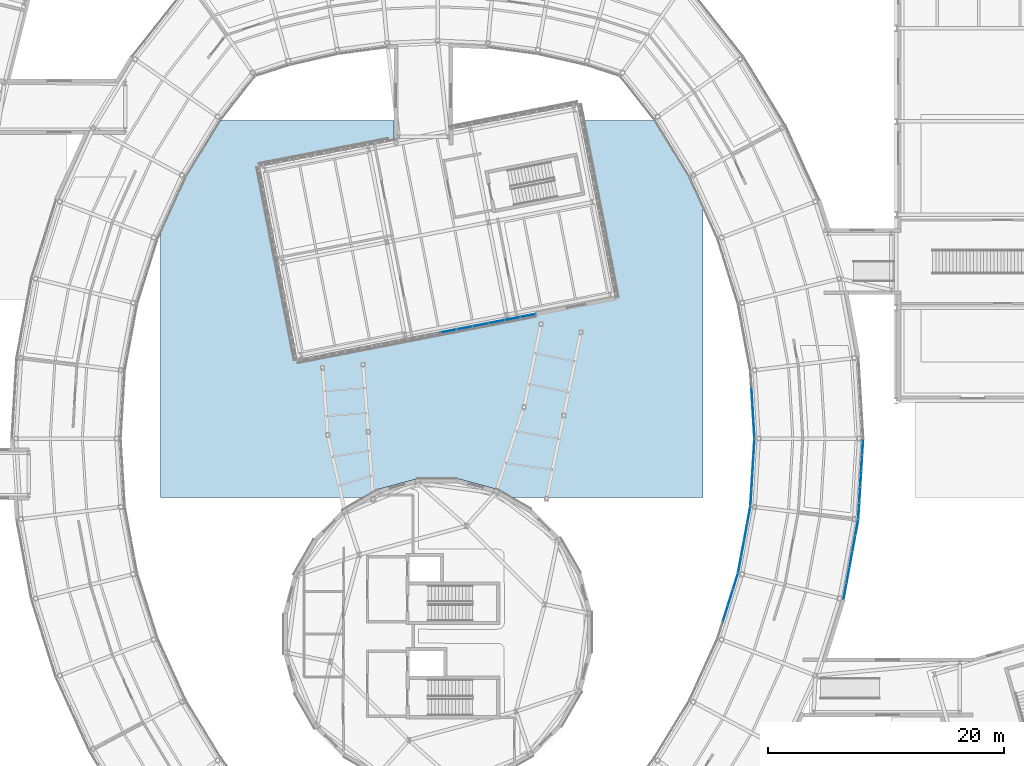
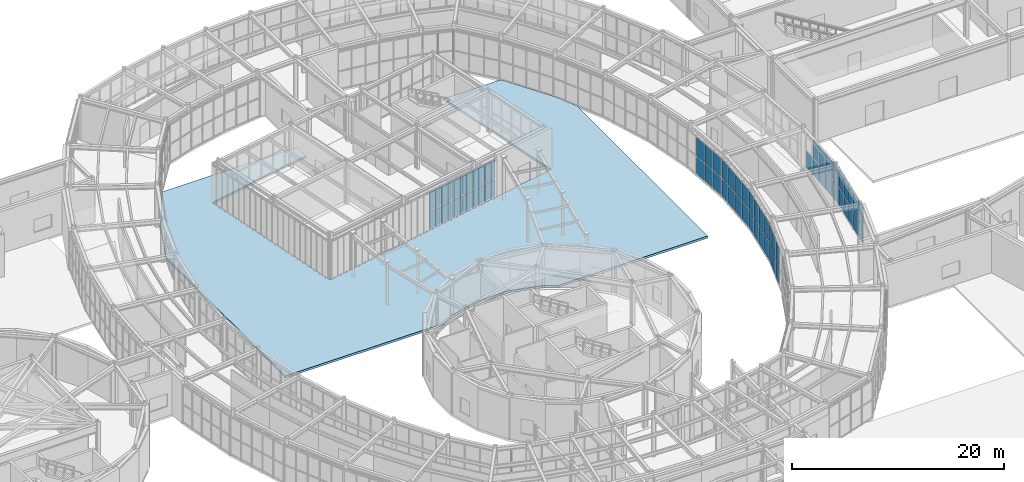
# One storey, part 60 of 97: 59 plates, 1 slab, 8 elements without a shape of their own.
"""IFC4 building model written with IfcOpenShell, lengths in metres."""

from ifc_helpers import new_model, si_unit, direction, frame, origin, origin_2d, place, context, subcontext, project, spatial, polyline, rectangle, outline, extrude, material, layer, layer_set, type_object, element, aggregate, save


model = new_model("IFC4")

# Units and contexts
model_context = context("Model", 3, precision=1e-05, world=origin(), true_north=direction((0.0, 1.0)))
body_context = subcontext(model_context, "Body", "Model", "MODEL_VIEW")
ifc_project = project(units=[si_unit("LENGTHUNIT", "METRE"), si_unit("AREAUNIT", "SQUARE_METRE"), si_unit("VOLUMEUNIT", "CUBIC_METRE"), si_unit("PLANEANGLEUNIT", "RADIAN"), si_unit("MASSUNIT", "GRAM", prefix="KILO")], contexts=[model_context])

# Site, building, storey
site_placement = place(None, origin())
site = spatial("IfcSite", under=ifc_project, at=site_placement, CompositionType="ELEMENT")
building_placement = place(site_placement, origin())
building = spatial("IfcBuilding", under=site, at=building_placement, Name="Varnklinge Art Gallery", CompositionType="ELEMENT")
storey_placement = place(building_placement, origin())
storey = spatial("IfcBuildingStorey", under=building, at=storey_placement, Name="L00", CompositionType="ELEMENT", Elevation=0.0)

# Curtain wall, plates
ifc_material_1 = material(Name="Anodised Aluminium", Category="aluminium")
curtain_wall_type_1 = type_object("IfcCurtainWallType", Name="CW-R03", PredefinedType="USERDEFINED", material=ifc_material_1)
curtain_wall_1_placement = place(storey_placement, origin())
curtain_wall_1 = element("IfcCurtainWall", 1, at=curtain_wall_1_placement, inside=storey, type_object=curtain_wall_type_1, Name="L00 Curtain Wall CW-V2I-L00-04", ObjectType="UNITISED CURTAIN WALL", PredefinedType="USERDEFINED")
ifc_material_2 = material(Name="Insulated Low-E Triple Glazing", Category="glass")
ifc_layer_1 = layer(ifc_material_2, 0.031982421875)
ifc_layer_set_1 = layer_set([ifc_layer_1], Name="Insulated Low-E Triple Glazing")
plate_type_1 = type_object("IfcPlateType", Name="GLZ-32", PredefinedType="CURTAIN_PANEL", material=ifc_layer_set_1)
plate_1_placement = place(storey_placement, frame((100.7724609375, 42.870361328125, 0.1181640625), z_axis=(0.0, 0.0, 1.0), x_axis=(-0.299706904751, -0.954031326134, 0.0)))
plate_1 = element("IfcPlate", 2, at=plate_1_placement, type_object=plate_type_1, Name="CW-V2I-L00-04 Glazing Panel 1.1", PredefinedType="CURTAIN_PANEL", context=body_context, shape_type="SweptSolid", body=[
    extrude(rectangle(XDim=1.355712890625, YDim=0.031982421875, at=origin_2d()), origin(), (0.0, 0.0, 1.0), 1.950439453125),
])
plate_2_placement = place(storey_placement, frame((100.7724609375, 42.870361328125, 2.1845703125), z_axis=(0.0, 0.0, 1.0), x_axis=(-0.299706904751, -0.954031326134, 0.0)))
plate_2 = element("IfcPlate", 3, at=plate_2_placement, type_object=plate_type_1, Name="CW-V2I-L00-04 Glazing Panel 1.2", PredefinedType="CURTAIN_PANEL", context=body_context, shape_type="SweptSolid", body=[
    extrude(rectangle(XDim=1.355712890625, YDim=0.031982421875, at=origin_2d()), origin(), (0.0, 0.0, 1.0), 2.127685546875),
])
plate_3_placement = place(storey_placement, frame((100.3447265625, 41.509033203125, 0.1181640625), z_axis=(0.0, 0.0, 1.0), x_axis=(-0.299706904751, -0.954031326134, 0.0)))
plate_3 = element("IfcPlate", 4, at=plate_3_placement, type_object=plate_type_1, Name="CW-V2I-L00-04 Glazing Panel 2.1", PredefinedType="CURTAIN_PANEL", context=body_context, shape_type="SweptSolid", body=[
    extrude(rectangle(XDim=1.3857421875, YDim=0.031982421875, at=origin_2d()), origin(), (0.0, 0.0, 1.0), 1.950439453125),
])
plate_4_placement = place(storey_placement, frame((100.3447265625, 41.509033203125, 2.1845703125), z_axis=(0.0, 0.0, 1.0), x_axis=(-0.299706904751, -0.954031326134, 0.0)))
plate_4 = element("IfcPlate", 5, at=plate_4_placement, type_object=plate_type_1, Name="CW-V2I-L00-04 Glazing Panel 2.2", PredefinedType="CURTAIN_PANEL", context=body_context, shape_type="SweptSolid", body=[
    extrude(rectangle(XDim=1.3857421875, YDim=0.031982421875, at=origin_2d()), origin(), (0.0, 0.0, 1.0), 2.127685546875),
])
plate_5_placement = place(storey_placement, frame((99.91259765625, 40.1337890625, 0.1181640625), z_axis=(0.0, 0.0, 1.0), x_axis=(-0.299706904751, -0.954031326134, 0.0)))
plate_5 = element("IfcPlate", 6, at=plate_5_placement, type_object=plate_type_1, Name="CW-V2I-L00-04 Glazing Panel 3.1", PredefinedType="CURTAIN_PANEL", context=body_context, shape_type="SweptSolid", body=[
    extrude(rectangle(XDim=1.3857421875, YDim=0.031982421875, at=origin_2d()), origin(), (0.0, 0.0, 1.0), 1.950439453125),
])
plate_6_placement = place(storey_placement, frame((99.91259765625, 40.1337890625, 2.1845703125), z_axis=(0.0, 0.0, 1.0), x_axis=(-0.299706904751, -0.954031326134, 0.0)))
plate_6 = element("IfcPlate", 7, at=plate_6_placement, type_object=plate_type_1, Name="CW-V2I-L00-04 Glazing Panel 3.2", PredefinedType="CURTAIN_PANEL", context=body_context, shape_type="SweptSolid", body=[
    extrude(rectangle(XDim=1.3857421875, YDim=0.031982421875, at=origin_2d()), origin(), (0.0, 0.0, 1.0), 2.127685546875),
])
aggregate(curtain_wall_1, [plate_1, plate_2, plate_3, plate_4, plate_5, plate_6])

curtain_wall_2_placement = place(storey_placement, origin())
curtain_wall_2 = element("IfcCurtainWall", 8, at=curtain_wall_2_placement, inside=storey, type_object=curtain_wall_type_1, Name="L00 Curtain Wall CW-V2I-L00-05", ObjectType="UNITISED CURTAIN WALL", PredefinedType="USERDEFINED")
plate_7_placement = place(storey_placement, frame((101.906982421875, 48.52001953125, 0.1181640625), z_axis=(0.0, 0.0, 1.0), x_axis=(-0.181549039717, -0.983381892338, 0.0)))
plate_7 = element("IfcPlate", 9, at=plate_7_placement, type_object=plate_type_1, Name="CW-V2I-L00-05 Glazing Panel 1.1", PredefinedType="CURTAIN_PANEL", context=body_context, shape_type="SweptSolid", body=[
    extrude(rectangle(XDim=1.355712890625, YDim=0.031982421875, at=origin_2d()), origin(), (0.0, 0.0, 1.0), 1.950439453125),
])
plate_8_placement = place(storey_placement, frame((101.906982421875, 48.52001953125, 2.1845703125), z_axis=(0.0, 0.0, 1.0), x_axis=(-0.181549039717, -0.983381892338, 0.0)))
plate_8 = element("IfcPlate", 10, at=plate_8_placement, type_object=plate_type_1, Name="CW-V2I-L00-05 Glazing Panel 1.2", PredefinedType="CURTAIN_PANEL", context=body_context, shape_type="SweptSolid", body=[
    extrude(rectangle(XDim=1.355712890625, YDim=0.031982421875, at=origin_2d()), origin(), (0.0, 0.0, 1.0), 2.127685546875),
])
plate_9_placement = place(storey_placement, frame((101.647705078125, 47.116943359375, 0.1181640625), z_axis=(0.0, 0.0, 1.0), x_axis=(-0.181549039717, -0.983381892338, 0.0)))
plate_9 = element("IfcPlate", 11, at=plate_9_placement, type_object=plate_type_1, Name="CW-V2I-L00-05 Glazing Panel 2.1", PredefinedType="CURTAIN_PANEL", context=body_context, shape_type="SweptSolid", body=[
    extrude(rectangle(XDim=1.3857421875, YDim=0.031982421875, at=origin_2d()), origin(), (0.0, 0.0, 1.0), 1.950439453125),
])
plate_10_placement = place(storey_placement, frame((101.647705078125, 47.116943359375, 2.1845703125), z_axis=(0.0, 0.0, 1.0), x_axis=(-0.181549039717, -0.983381892338, 0.0)))
plate_10 = element("IfcPlate", 12, at=plate_10_placement, type_object=plate_type_1, Name="CW-V2I-L00-05 Glazing Panel 2.2", PredefinedType="CURTAIN_PANEL", context=body_context, shape_type="SweptSolid", body=[
    extrude(rectangle(XDim=1.3857421875, YDim=0.031982421875, at=origin_2d()), origin(), (0.0, 0.0, 1.0), 2.127685546875),
])
plate_11_placement = place(storey_placement, frame((101.385986328125, 45.69921875, 0.1181640625), z_axis=(0.0, 0.0, 1.0), x_axis=(-0.181549039717, -0.983381892338, 0.0)))
plate_11 = element("IfcPlate", 13, at=plate_11_placement, type_object=plate_type_1, Name="CW-V2I-L00-05 Glazing Panel 3.1", PredefinedType="CURTAIN_PANEL", context=body_context, shape_type="SweptSolid", body=[
    extrude(rectangle(XDim=1.3857421875, YDim=0.031982421875, at=origin_2d()), origin(), (0.0, 0.0, 1.0), 1.950439453125),
])
plate_12_placement = place(storey_placement, frame((101.385986328125, 45.69921875, 2.1845703125), z_axis=(0.0, 0.0, 1.0), x_axis=(-0.181549039717, -0.983381892338, 0.0)))
plate_12 = element("IfcPlate", 14, at=plate_12_placement, type_object=plate_type_1, Name="CW-V2I-L00-05 Glazing Panel 3.2", PredefinedType="CURTAIN_PANEL", context=body_context, shape_type="SweptSolid", body=[
    extrude(rectangle(XDim=1.3857421875, YDim=0.031982421875, at=origin_2d()), origin(), (0.0, 0.0, 1.0), 2.127685546875),
])
plate_13_placement = place(storey_placement, frame((101.126708984375, 44.296142578125, 0.1181640625), z_axis=(0.0, 0.0, 1.0), x_axis=(-0.181549039717, -0.983381892338, 0.0)))
plate_13 = element("IfcPlate", 15, at=plate_13_placement, type_object=plate_type_1, Name="CW-V2I-L00-05 Glazing Panel 4.1", PredefinedType="CURTAIN_PANEL", context=body_context, shape_type="SweptSolid", body=[
    extrude(rectangle(XDim=1.355712890625, YDim=0.031982421875, at=origin_2d()), origin(), (0.0, 0.0, 1.0), 1.950439453125),
])
plate_14_placement = place(storey_placement, frame((101.126708984375, 44.296142578125, 2.1845703125), z_axis=(0.0, 0.0, 1.0), x_axis=(-0.181549039717, -0.983381892338, 0.0)))
plate_14 = element("IfcPlate", 16, at=plate_14_placement, type_object=plate_type_1, Name="CW-V2I-L00-05 Glazing Panel 4.2", PredefinedType="CURTAIN_PANEL", context=body_context, shape_type="SweptSolid", body=[
    extrude(rectangle(XDim=1.355712890625, YDim=0.031982421875, at=origin_2d()), origin(), (0.0, 0.0, 1.0), 2.127685546875),
])
aggregate(curtain_wall_2, [plate_7, plate_8, plate_9, plate_10, plate_11, plate_12, plate_13, plate_14])

curtain_wall_3_placement = place(storey_placement, origin())
curtain_wall_3 = element("IfcCurtainWall", 17, at=curtain_wall_3_placement, inside=storey, type_object=curtain_wall_type_1, Name="L00 Curtain Wall CW-V2I-L00-06", ObjectType="UNITISED CURTAIN WALL", PredefinedType="USERDEFINED")
plate_15_placement = place(storey_placement, frame((102.3466796875, 54.265380859375, 0.1181640625), z_axis=(0.0, 0.0, 1.0), x_axis=(-0.06087433122, -0.9981454382, 0.0)))
plate_15 = element("IfcPlate", 18, at=plate_15_placement, type_object=plate_type_1, Name="CW-V2I-L00-06 Glazing Panel 1.1", PredefinedType="CURTAIN_PANEL", context=body_context, shape_type="SweptSolid", body=[
    extrude(rectangle(XDim=1.355712890625, YDim=0.031982421875, at=origin_2d()), origin(), (0.0, 0.0, 1.0), 1.950439453125),
])
plate_16_placement = place(storey_placement, frame((102.3466796875, 54.265380859375, 2.1845703125), z_axis=(0.0, 0.0, 1.0), x_axis=(-0.06087433122, -0.9981454382, 0.0)))
plate_16 = element("IfcPlate", 19, at=plate_16_placement, type_object=plate_type_1, Name="CW-V2I-L00-06 Glazing Panel 1.2", PredefinedType="CURTAIN_PANEL", context=body_context, shape_type="SweptSolid", body=[
    extrude(rectangle(XDim=1.355712890625, YDim=0.031982421875, at=origin_2d()), origin(), (0.0, 0.0, 1.0), 2.127685546875),
])
plate_17_placement = place(storey_placement, frame((102.260009765625, 52.84130859375, 0.1181640625), z_axis=(0.0, 0.0, 1.0), x_axis=(-0.06087433122, -0.9981454382, 0.0)))
plate_17 = element("IfcPlate", 20, at=plate_17_placement, type_object=plate_type_1, Name="CW-V2I-L00-06 Glazing Panel 2.1", PredefinedType="CURTAIN_PANEL", context=body_context, shape_type="SweptSolid", body=[
    extrude(rectangle(XDim=1.3857421875, YDim=0.031982421875, at=origin_2d()), origin(), (0.0, 0.0, 1.0), 1.950439453125),
])
plate_18_placement = place(storey_placement, frame((102.260009765625, 52.84130859375, 2.1845703125), z_axis=(0.0, 0.0, 1.0), x_axis=(-0.06087433122, -0.9981454382, 0.0)))
plate_18 = element("IfcPlate", 21, at=plate_18_placement, type_object=plate_type_1, Name="CW-V2I-L00-06 Glazing Panel 2.2", PredefinedType="CURTAIN_PANEL", context=body_context, shape_type="SweptSolid", body=[
    extrude(rectangle(XDim=1.3857421875, YDim=0.031982421875, at=origin_2d()), origin(), (0.0, 0.0, 1.0), 2.127685546875),
])
plate_19_placement = place(storey_placement, frame((102.172119140625, 51.40234375, 0.1181640625), z_axis=(0.0, 0.0, 1.0), x_axis=(-0.06087433122, -0.9981454382, 0.0)))
plate_19 = element("IfcPlate", 22, at=plate_19_placement, type_object=plate_type_1, Name="CW-V2I-L00-06 Glazing Panel 3.1", PredefinedType="CURTAIN_PANEL", context=body_context, shape_type="SweptSolid", body=[
    extrude(rectangle(XDim=1.3857421875, YDim=0.031982421875, at=origin_2d()), origin(), (0.0, 0.0, 1.0), 1.950439453125),
])
plate_20_placement = place(storey_placement, frame((102.172119140625, 51.40234375, 2.1845703125), z_axis=(0.0, 0.0, 1.0), x_axis=(-0.06087433122, -0.9981454382, 0.0)))
plate_20 = element("IfcPlate", 23, at=plate_20_placement, type_object=plate_type_1, Name="CW-V2I-L00-06 Glazing Panel 3.2", PredefinedType="CURTAIN_PANEL", context=body_context, shape_type="SweptSolid", body=[
    extrude(rectangle(XDim=1.3857421875, YDim=0.031982421875, at=origin_2d()), origin(), (0.0, 0.0, 1.0), 2.127685546875),
])
plate_21_placement = place(storey_placement, frame((102.08544921875, 49.97802734375, 0.1181640625), z_axis=(0.0, 0.0, 1.0), x_axis=(-0.06087433122, -0.9981454382, 0.0)))
plate_21 = element("IfcPlate", 24, at=plate_21_placement, type_object=plate_type_1, Name="CW-V2I-L00-06 Glazing Panel 4.1", PredefinedType="CURTAIN_PANEL", context=body_context, shape_type="SweptSolid", body=[
    extrude(rectangle(XDim=1.355712890625, YDim=0.031982421875, at=origin_2d()), origin(), (0.0, 0.0, 1.0), 1.950439453125),
])
plate_22_placement = place(storey_placement, frame((102.08544921875, 49.97802734375, 2.1845703125), z_axis=(0.0, 0.0, 1.0), x_axis=(-0.06087433122, -0.9981454382, 0.0)))
plate_22 = element("IfcPlate", 25, at=plate_22_placement, type_object=plate_type_1, Name="CW-V2I-L00-06 Glazing Panel 4.2", PredefinedType="CURTAIN_PANEL", context=body_context, shape_type="SweptSolid", body=[
    extrude(rectangle(XDim=1.355712890625, YDim=0.031982421875, at=origin_2d()), origin(), (0.0, 0.0, 1.0), 2.127685546875),
])
aggregate(curtain_wall_3, [plate_15, plate_16, plate_17, plate_18, plate_19, plate_20, plate_21, plate_22])

curtain_wall_4_placement = place(storey_placement, origin())
curtain_wall_4 = element("IfcCurtainWall", 26, at=curtain_wall_4_placement, inside=storey, type_object=curtain_wall_type_1, Name="L00 Curtain Wall CW-V2I-L00-07", ObjectType="UNITISED CURTAIN WALL", PredefinedType="USERDEFINED")
plate_23_placement = place(storey_placement, frame((102.172119140625, 58.59765625, 0.1181640625), z_axis=(0.0, 0.0, 1.0), x_axis=(0.06087433122, -0.9981454382, 0.0)))
plate_23 = element("IfcPlate", 27, at=plate_23_placement, type_object=plate_type_1, Name="CW-V2I-L00-07 Glazing Panel 2.1", PredefinedType="CURTAIN_PANEL", context=body_context, shape_type="SweptSolid", body=[
    extrude(rectangle(XDim=1.3857421875, YDim=0.031982421875, at=origin_2d()), origin(), (0.0, 0.0, 1.0), 1.950439453125),
])
plate_24_placement = place(storey_placement, frame((102.172119140625, 58.59765625, 2.1845703125), z_axis=(0.0, 0.0, 1.0), x_axis=(0.06087433122, -0.9981454382, 0.0)))
plate_24 = element("IfcPlate", 28, at=plate_24_placement, type_object=plate_type_1, Name="CW-V2I-L00-07 Glazing Panel 2.2", PredefinedType="CURTAIN_PANEL", context=body_context, shape_type="SweptSolid", body=[
    extrude(rectangle(XDim=1.3857421875, YDim=0.031982421875, at=origin_2d()), origin(), (0.0, 0.0, 1.0), 2.127685546875),
])
plate_25_placement = place(storey_placement, frame((102.260009765625, 57.15869140625, 0.1181640625), z_axis=(0.0, 0.0, 1.0), x_axis=(0.06087433122, -0.9981454382, 0.0)))
plate_25 = element("IfcPlate", 29, at=plate_25_placement, type_object=plate_type_1, Name="CW-V2I-L00-07 Glazing Panel 3.1", PredefinedType="CURTAIN_PANEL", context=body_context, shape_type="SweptSolid", body=[
    extrude(rectangle(XDim=1.3857421875, YDim=0.031982421875, at=origin_2d()), origin(), (0.0, 0.0, 1.0), 1.950439453125),
])
plate_26_placement = place(storey_placement, frame((102.260009765625, 57.15869140625, 2.1845703125), z_axis=(0.0, 0.0, 1.0), x_axis=(0.06087433122, -0.9981454382, 0.0)))
plate_26 = element("IfcPlate", 30, at=plate_26_placement, type_object=plate_type_1, Name="CW-V2I-L00-07 Glazing Panel 3.2", PredefinedType="CURTAIN_PANEL", context=body_context, shape_type="SweptSolid", body=[
    extrude(rectangle(XDim=1.3857421875, YDim=0.031982421875, at=origin_2d()), origin(), (0.0, 0.0, 1.0), 2.127685546875),
])
plate_27_placement = place(storey_placement, frame((102.3466796875, 55.734619140625, 0.1181640625), z_axis=(0.0, 0.0, 1.0), x_axis=(0.06087433122, -0.9981454382, 0.0)))
plate_27 = element("IfcPlate", 31, at=plate_27_placement, type_object=plate_type_1, Name="CW-V2I-L00-07 Glazing Panel 4.1", PredefinedType="CURTAIN_PANEL", context=body_context, shape_type="SweptSolid", body=[
    extrude(rectangle(XDim=1.355712890625, YDim=0.031982421875, at=origin_2d()), origin(), (0.0, 0.0, 1.0), 1.950439453125),
])
plate_28_placement = place(storey_placement, frame((102.3466796875, 55.734619140625, 2.1845703125), z_axis=(0.0, 0.0, 1.0), x_axis=(0.06087433122, -0.9981454382, 0.0)))
plate_28 = element("IfcPlate", 32, at=plate_28_placement, type_object=plate_type_1, Name="CW-V2I-L00-07 Glazing Panel 4.2", PredefinedType="CURTAIN_PANEL", context=body_context, shape_type="SweptSolid", body=[
    extrude(rectangle(XDim=1.355712890625, YDim=0.031982421875, at=origin_2d()), origin(), (0.0, 0.0, 1.0), 2.127685546875),
])
aggregate(curtain_wall_4, [plate_23, plate_24, plate_25, plate_26, plate_27, plate_28])

ifc_material_3 = material(Name="Anodised Aluminium", Category="aluminium")
curtain_wall_type_2 = type_object("IfcCurtainWallType", Name="CW-R01", PredefinedType="USERDEFINED", material=ifc_material_3)
curtain_wall_5_placement = place(storey_placement, origin())
curtain_wall_5 = element("IfcCurtainWall", 33, at=curtain_wall_5_placement, inside=storey, type_object=curtain_wall_type_2, Name="L00 Curtain Wall CW-V2O-L00-05", ObjectType="UNITISED CURTAIN WALL", PredefinedType="USERDEFINED")
ifc_material_4 = material(Name="Insulated Low-E Triple Glazing", Category="glass")
ifc_layer_2 = layer(ifc_material_4, 0.0380859375)
ifc_layer_set_2 = layer_set([ifc_layer_2], Name="Insulated Low-E Triple Glazing")
plate_type_2 = type_object("IfcPlateType", Name="GLZ-38", PredefinedType="CURTAIN_PANEL", material=ifc_layer_set_2)
plate_29_placement = place(storey_placement, frame((110.066162109375, 42.043212890625, 0.14794921875), z_axis=(0.0, 0.0, 1.0), x_axis=(0.18172066947, 0.983350191075, 0.0)))
plate_29 = element("IfcPlate", 34, at=plate_29_placement, type_object=plate_type_2, Name="CW-V2O-L00-05 Glazing Panel 1.1", PredefinedType="CURTAIN_PANEL", context=body_context, shape_type="SweptSolid", body=[
    extrude(rectangle(XDim=1.2841796875, YDim=0.0380859375, at=origin_2d()), origin(), (0.0, 0.0, 1.0), 1.905517578125),
])
plate_30_placement = place(storey_placement, frame((110.066162109375, 42.043212890625, 2.199462890625), z_axis=(0.0, 0.0, 1.0), x_axis=(0.18172066947, 0.983350191075, 0.0)))
plate_30 = element("IfcPlate", 35, at=plate_30_placement, type_object=plate_type_2, Name="CW-V2O-L00-05 Glazing Panel 1.2", PredefinedType="CURTAIN_PANEL", context=body_context, shape_type="SweptSolid", body=[
    extrude(rectangle(XDim=1.2841796875, YDim=0.0380859375, at=origin_2d()), origin(), (0.0, 0.0, 1.0), 2.08251953125),
])
plate_31_placement = place(storey_placement, frame((110.3134765625, 43.382080078125, 0.14794921875), z_axis=(0.0, 0.0, 1.0), x_axis=(0.18172066947, 0.983350191075, 0.0)))
plate_31 = element("IfcPlate", 36, at=plate_31_placement, type_object=plate_type_2, Name="CW-V2O-L00-05 Glazing Panel 2.1", PredefinedType="CURTAIN_PANEL", context=body_context, shape_type="SweptSolid", body=[
    extrude(rectangle(XDim=1.31689453125, YDim=0.0380859375, at=origin_2d()), origin(), (0.0, 0.0, 1.0), 1.905517578125),
])
plate_32_placement = place(storey_placement, frame((110.3134765625, 43.382080078125, 2.199462890625), z_axis=(0.0, 0.0, 1.0), x_axis=(0.18172066947, 0.983350191075, 0.0)))
plate_32 = element("IfcPlate", 37, at=plate_32_placement, type_object=plate_type_2, Name="CW-V2O-L00-05 Glazing Panel 2.2", PredefinedType="CURTAIN_PANEL", context=body_context, shape_type="SweptSolid", body=[
    extrude(rectangle(XDim=1.31689453125, YDim=0.0380859375, at=origin_2d()), origin(), (0.0, 0.0, 1.0), 2.08251953125),
])
plate_33_placement = place(storey_placement, frame((110.563720703125, 44.73681640625, 0.14794921875), z_axis=(0.0, 0.0, 1.0), x_axis=(0.18172066947, 0.983350191075, 0.0)))
plate_33 = element("IfcPlate", 38, at=plate_33_placement, type_object=plate_type_2, Name="CW-V2O-L00-05 Glazing Panel 3.1", PredefinedType="CURTAIN_PANEL", context=body_context, shape_type="SweptSolid", body=[
    extrude(rectangle(XDim=1.31689453125, YDim=0.0380859375, at=origin_2d()), origin(), (0.0, 0.0, 1.0), 1.905517578125),
])
plate_34_placement = place(storey_placement, frame((110.563720703125, 44.73681640625, 2.199462890625), z_axis=(0.0, 0.0, 1.0), x_axis=(0.18172066947, 0.983350191075, 0.0)))
plate_34 = element("IfcPlate", 39, at=plate_34_placement, type_object=plate_type_2, Name="CW-V2O-L00-05 Glazing Panel 3.2", PredefinedType="CURTAIN_PANEL", context=body_context, shape_type="SweptSolid", body=[
    extrude(rectangle(XDim=1.31689453125, YDim=0.0380859375, at=origin_2d()), origin(), (0.0, 0.0, 1.0), 2.08251953125),
])
plate_35_placement = place(storey_placement, frame((110.81396484375, 46.091796875, 0.14794921875), z_axis=(0.0, 0.0, 1.0), x_axis=(0.18172066947, 0.983350191075, 0.0)))
plate_35 = element("IfcPlate", 40, at=plate_35_placement, type_object=plate_type_2, Name="CW-V2O-L00-05 Glazing Panel 4.1", PredefinedType="CURTAIN_PANEL", context=body_context, shape_type="SweptSolid", body=[
    extrude(rectangle(XDim=1.31689453125, YDim=0.0380859375, at=origin_2d()), origin(), (0.0, 0.0, 1.0), 1.905517578125),
])
plate_36_placement = place(storey_placement, frame((110.81396484375, 46.091796875, 2.199462890625), z_axis=(0.0, 0.0, 1.0), x_axis=(0.18172066947, 0.983350191075, 0.0)))
plate_36 = element("IfcPlate", 41, at=plate_36_placement, type_object=plate_type_2, Name="CW-V2O-L00-05 Glazing Panel 4.2", PredefinedType="CURTAIN_PANEL", context=body_context, shape_type="SweptSolid", body=[
    extrude(rectangle(XDim=1.31689453125, YDim=0.0380859375, at=origin_2d()), origin(), (0.0, 0.0, 1.0), 2.08251953125),
])
plate_37_placement = place(storey_placement, frame((111.061279296875, 47.4306640625, 0.14794921875), z_axis=(0.0, 0.0, 1.0), x_axis=(0.18172066947, 0.983350191075, 0.0)))
plate_37 = element("IfcPlate", 42, at=plate_37_placement, type_object=plate_type_2, Name="CW-V2O-L00-05 Glazing Panel 5.1", PredefinedType="CURTAIN_PANEL", context=body_context, shape_type="SweptSolid", body=[
    extrude(rectangle(XDim=1.2841796875, YDim=0.0380859375, at=origin_2d()), origin(), (0.0, 0.0, 1.0), 1.905517578125),
])
plate_38_placement = place(storey_placement, frame((111.061279296875, 47.4306640625, 2.199462890625), z_axis=(0.0, 0.0, 1.0), x_axis=(0.18172066947, 0.983350191075, 0.0)))
plate_38 = element("IfcPlate", 43, at=plate_38_placement, type_object=plate_type_2, Name="CW-V2O-L00-05 Glazing Panel 5.2", PredefinedType="CURTAIN_PANEL", context=body_context, shape_type="SweptSolid", body=[
    extrude(rectangle(XDim=1.2841796875, YDim=0.0380859375, at=origin_2d()), origin(), (0.0, 0.0, 1.0), 2.08251953125),
])
aggregate(curtain_wall_5, [plate_29, plate_30, plate_31, plate_32, plate_33, plate_34, plate_35, plate_36, plate_37, plate_38])

curtain_wall_6_placement = place(storey_placement, origin())
curtain_wall_6 = element("IfcCurtainWall", 44, at=curtain_wall_6_placement, inside=storey, type_object=curtain_wall_type_2, Name="L00 Curtain Wall CW-V2O-L00-06", ObjectType="UNITISED CURTAIN WALL", PredefinedType="USERDEFINED")
plate_39_placement = place(storey_placement, frame((111.232421875, 48.827880859375, 0.14794921875), z_axis=(0.0, 0.0, 1.0), x_axis=(0.06087433122, 0.9981454382, 0.0)))
plate_39 = element("IfcPlate", 45, at=plate_39_placement, type_object=plate_type_2, Name="CW-V2O-L00-06 Glazing Panel 1.1", PredefinedType="CURTAIN_PANEL", context=body_context, shape_type="SweptSolid", body=[
    extrude(rectangle(XDim=1.2841796875, YDim=0.0380859375, at=origin_2d()), origin(), (0.0, 0.0, 1.0), 1.905517578125),
])
plate_40_placement = place(storey_placement, frame((111.232421875, 48.827880859375, 2.199462890625), z_axis=(0.0, 0.0, 1.0), x_axis=(0.06087433122, 0.9981454382, 0.0)))
plate_40 = element("IfcPlate", 46, at=plate_40_placement, type_object=plate_type_2, Name="CW-V2O-L00-06 Glazing Panel 1.2", PredefinedType="CURTAIN_PANEL", context=body_context, shape_type="SweptSolid", body=[
    extrude(rectangle(XDim=1.2841796875, YDim=0.0380859375, at=origin_2d()), origin(), (0.0, 0.0, 1.0), 2.08251953125),
])
plate_41_placement = place(storey_placement, frame((111.315185546875, 50.186767578125, 0.14794921875), z_axis=(0.0, 0.0, 1.0), x_axis=(0.06087433122, 0.9981454382, 0.0)))
plate_41 = element("IfcPlate", 47, at=plate_41_placement, type_object=plate_type_2, Name="CW-V2O-L00-06 Glazing Panel 2.1", PredefinedType="CURTAIN_PANEL", context=body_context, shape_type="SweptSolid", body=[
    extrude(rectangle(XDim=1.31689453125, YDim=0.0380859375, at=origin_2d()), origin(), (0.0, 0.0, 1.0), 1.905517578125),
])
plate_42_placement = place(storey_placement, frame((111.315185546875, 50.186767578125, 2.199462890625), z_axis=(0.0, 0.0, 1.0), x_axis=(0.06087433122, 0.9981454382, 0.0)))
plate_42 = element("IfcPlate", 48, at=plate_42_placement, type_object=plate_type_2, Name="CW-V2O-L00-06 Glazing Panel 2.2", PredefinedType="CURTAIN_PANEL", context=body_context, shape_type="SweptSolid", body=[
    extrude(rectangle(XDim=1.31689453125, YDim=0.0380859375, at=origin_2d()), origin(), (0.0, 0.0, 1.0), 2.08251953125),
])
plate_43_placement = place(storey_placement, frame((111.39892578125, 51.56201171875, 0.14794921875), z_axis=(0.0, 0.0, 1.0), x_axis=(0.06087433122, 0.9981454382, 0.0)))
plate_43 = element("IfcPlate", 49, at=plate_43_placement, type_object=plate_type_2, Name="CW-V2O-L00-06 Glazing Panel 3.1", PredefinedType="CURTAIN_PANEL", context=body_context, shape_type="SweptSolid", body=[
    extrude(rectangle(XDim=1.31689453125, YDim=0.0380859375, at=origin_2d()), origin(), (0.0, 0.0, 1.0), 1.905517578125),
])
plate_44_placement = place(storey_placement, frame((111.39892578125, 51.56201171875, 2.199462890625), z_axis=(0.0, 0.0, 1.0), x_axis=(0.06087433122, 0.9981454382, 0.0)))
plate_44 = element("IfcPlate", 50, at=plate_44_placement, type_object=plate_type_2, Name="CW-V2O-L00-06 Glazing Panel 3.2", PredefinedType="CURTAIN_PANEL", context=body_context, shape_type="SweptSolid", body=[
    extrude(rectangle(XDim=1.31689453125, YDim=0.0380859375, at=origin_2d()), origin(), (0.0, 0.0, 1.0), 2.08251953125),
])
plate_45_placement = place(storey_placement, frame((111.48291015625, 52.937255859375, 0.14794921875), z_axis=(0.0, 0.0, 1.0), x_axis=(0.06087433122, 0.9981454382, 0.0)))
plate_45 = element("IfcPlate", 51, at=plate_45_placement, type_object=plate_type_2, Name="CW-V2O-L00-06 Glazing Panel 4.1", PredefinedType="CURTAIN_PANEL", context=body_context, shape_type="SweptSolid", body=[
    extrude(rectangle(XDim=1.31689453125, YDim=0.0380859375, at=origin_2d()), origin(), (0.0, 0.0, 1.0), 1.905517578125),
])
plate_46_placement = place(storey_placement, frame((111.48291015625, 52.937255859375, 2.199462890625), z_axis=(0.0, 0.0, 1.0), x_axis=(0.06087433122, 0.9981454382, 0.0)))
plate_46 = element("IfcPlate", 52, at=plate_46_placement, type_object=plate_type_2, Name="CW-V2O-L00-06 Glazing Panel 4.2", PredefinedType="CURTAIN_PANEL", context=body_context, shape_type="SweptSolid", body=[
    extrude(rectangle(XDim=1.31689453125, YDim=0.0380859375, at=origin_2d()), origin(), (0.0, 0.0, 1.0), 2.08251953125),
])
plate_47_placement = place(storey_placement, frame((111.565673828125, 54.296142578125, 0.14794921875), z_axis=(0.0, 0.0, 1.0), x_axis=(0.06087433122, 0.9981454382, 0.0)))
plate_47 = element("IfcPlate", 53, at=plate_47_placement, type_object=plate_type_2, Name="CW-V2O-L00-06 Glazing Panel 5.1", PredefinedType="CURTAIN_PANEL", context=body_context, shape_type="SweptSolid", body=[
    extrude(rectangle(XDim=1.2841796875, YDim=0.0380859375, at=origin_2d()), origin(), (0.0, 0.0, 1.0), 1.905517578125),
])
aggregate(curtain_wall_6, [plate_39, plate_40, plate_41, plate_42, plate_43, plate_44, plate_45, plate_46, plate_47])

ifc_material_5 = material(Name="Anodised Aluminium", Category="aluminium")
curtain_wall_type_3 = type_object("IfcCurtainWallType", Name="CW-L01", PredefinedType="USERDEFINED", material=ifc_material_5)
curtain_wall_7_placement = place(storey_placement, origin())
curtain_wall_7 = element("IfcCurtainWall", 54, at=curtain_wall_7_placement, inside=storey, type_object=curtain_wall_type_3, Name="L00 Curtain Wall CW-V4B-L00-1-1-2", ObjectType="UNITISED CURTAIN WALL", PredefinedType="USERDEFINED")
ifc_material_6 = material(Name="Insulated Low-E Triple Glazing", Category="glass")
ifc_layer_3 = layer(ifc_material_6, 0.0439453125)
ifc_layer_set_3 = layer_set([ifc_layer_3], Name="Insulated Low-E Triple Glazing")
plate_type_3 = type_object("IfcPlateType", Name="GLZ-44", PredefinedType="CURTAIN_PANEL", material=ifc_layer_set_3)
plate_48_placement = place(storey_placement, frame((76.406982421875, 64.119140625, 0.14794921875), z_axis=(0.0, 0.0, 1.0), x_axis=(0.981627183448, 0.190808995377, 0.0)))
plate_48 = element("IfcPlate", 55, at=plate_48_placement, type_object=plate_type_3, Name="CW-V4B-L00-1-1-2 Glazing Panel 5.1", PredefinedType="CURTAIN_PANEL", context=body_context, shape_type="SweptSolid", body=[
    extrude(rectangle(XDim=1.271484375, YDim=0.0439453125, at=origin_2d()), origin(), (0.0, 0.0, 1.0), 1.905517578125),
])
plate_49_placement = place(storey_placement, frame((76.406982421875, 64.119140625, 2.199462890625), z_axis=(0.0, 0.0, 1.0), x_axis=(0.981627183448, 0.190808995377, 0.0)))
plate_49 = element("IfcPlate", 56, at=plate_49_placement, type_object=plate_type_3, Name="CW-V4B-L00-1-1-2 Glazing Panel 5.2", PredefinedType="CURTAIN_PANEL", context=body_context, shape_type="SweptSolid", body=[
    extrude(rectangle(XDim=1.271484375, YDim=0.0439453125, at=origin_2d()), origin(), (0.0, 0.0, 1.0), 2.08251953125),
])
aggregate(curtain_wall_7, [plate_48, plate_49])

curtain_wall_8_placement = place(storey_placement, origin())
curtain_wall_8 = element("IfcCurtainWall", 57, at=curtain_wall_8_placement, inside=storey, type_object=curtain_wall_type_3, Name="L00 Curtain Wall CW-V4B-L00-1-1-3", ObjectType="UNITISED CURTAIN WALL", PredefinedType="USERDEFINED")
plate_50_placement = place(storey_placement, frame((77.798583984375, 64.3896484375, 0.14794921875), z_axis=(0.0, 0.0, 1.0), x_axis=(0.981627183448, 0.190808995377, 0.0)))
plate_50 = element("IfcPlate", 58, at=plate_50_placement, type_object=plate_type_3, Name="CW-V4B-L00-1-1-3 Glazing Panel 1.1", PredefinedType="CURTAIN_PANEL", context=body_context, shape_type="SweptSolid", body=[
    extrude(rectangle(XDim=1.271484375, YDim=0.0439453125, at=origin_2d()), origin(), (0.0, 0.0, 1.0), 1.905517578125),
])
plate_51_placement = place(storey_placement, frame((77.798583984375, 64.3896484375, 2.199462890625), z_axis=(0.0, 0.0, 1.0), x_axis=(0.981627183448, 0.190808995377, 0.0)))
plate_51 = element("IfcPlate", 59, at=plate_51_placement, type_object=plate_type_3, Name="CW-V4B-L00-1-1-3 Glazing Panel 1.2", PredefinedType="CURTAIN_PANEL", context=body_context, shape_type="SweptSolid", body=[
    extrude(rectangle(XDim=1.271484375, YDim=0.0439453125, at=origin_2d()), origin(), (0.0, 0.0, 1.0), 2.08251953125),
])
plate_52_placement = place(storey_placement, frame((79.134765625, 64.6494140625, 0.14794921875), z_axis=(0.0, 0.0, 1.0), x_axis=(0.981627183448, 0.190808995377, 0.0)))
plate_52 = element("IfcPlate", 60, at=plate_52_placement, type_object=plate_type_3, Name="CW-V4B-L00-1-1-3 Glazing Panel 2.1", PredefinedType="CURTAIN_PANEL", context=body_context, shape_type="SweptSolid", body=[
    extrude(rectangle(XDim=1.30908203125, YDim=0.0439453125, at=origin_2d()), origin(), (0.0, 0.0, 1.0), 1.905517578125),
])
plate_53_placement = place(storey_placement, frame((79.134765625, 64.6494140625, 2.199462890625), z_axis=(0.0, 0.0, 1.0), x_axis=(0.981627183448, 0.190808995377, 0.0)))
plate_53 = element("IfcPlate", 61, at=plate_53_placement, type_object=plate_type_3, Name="CW-V4B-L00-1-1-3 Glazing Panel 2.2", PredefinedType="CURTAIN_PANEL", context=body_context, shape_type="SweptSolid", body=[
    extrude(rectangle(XDim=1.30908203125, YDim=0.0439453125, at=origin_2d()), origin(), (0.0, 0.0, 1.0), 2.08251953125),
])
plate_54_placement = place(storey_placement, frame((80.489501953125, 64.91259765625, 0.14794921875), z_axis=(0.0, 0.0, 1.0), x_axis=(0.981627183448, 0.190808995377, 0.0)))
plate_54 = element("IfcPlate", 62, at=plate_54_placement, type_object=plate_type_3, Name="CW-V4B-L00-1-1-3 Glazing Panel 3.1", PredefinedType="CURTAIN_PANEL", context=body_context, shape_type="SweptSolid", body=[
    extrude(rectangle(XDim=1.30908203125, YDim=0.0439453125, at=origin_2d()), origin(), (0.0, 0.0, 1.0), 1.905517578125),
])
plate_55_placement = place(storey_placement, frame((80.489501953125, 64.91259765625, 2.199462890625), z_axis=(0.0, 0.0, 1.0), x_axis=(0.981627183448, 0.190808995377, 0.0)))
plate_55 = element("IfcPlate", 63, at=plate_55_placement, type_object=plate_type_3, Name="CW-V4B-L00-1-1-3 Glazing Panel 3.2", PredefinedType="CURTAIN_PANEL", context=body_context, shape_type="SweptSolid", body=[
    extrude(rectangle(XDim=1.30908203125, YDim=0.0439453125, at=origin_2d()), origin(), (0.0, 0.0, 1.0), 2.08251953125),
])
plate_56_placement = place(storey_placement, frame((81.843994140625, 65.176025390625, 0.14794921875), z_axis=(0.0, 0.0, 1.0), x_axis=(0.981627183448, 0.190808995377, 0.0)))
plate_56 = element("IfcPlate", 64, at=plate_56_placement, type_object=plate_type_3, Name="CW-V4B-L00-1-1-3 Glazing Panel 4.1", PredefinedType="CURTAIN_PANEL", context=body_context, shape_type="SweptSolid", body=[
    extrude(rectangle(XDim=1.30908203125, YDim=0.0439453125, at=origin_2d()), origin(), (0.0, 0.0, 1.0), 1.905517578125),
])
plate_57_placement = place(storey_placement, frame((81.843994140625, 65.176025390625, 2.199462890625), z_axis=(0.0, 0.0, 1.0), x_axis=(0.981627183448, 0.190808995377, 0.0)))
plate_57 = element("IfcPlate", 65, at=plate_57_placement, type_object=plate_type_3, Name="CW-V4B-L00-1-1-3 Glazing Panel 4.2", PredefinedType="CURTAIN_PANEL", context=body_context, shape_type="SweptSolid", body=[
    extrude(rectangle(XDim=1.30908203125, YDim=0.0439453125, at=origin_2d()), origin(), (0.0, 0.0, 1.0), 2.08251953125),
])
plate_58_placement = place(storey_placement, frame((83.180419921875, 65.435791015625, 0.14794921875), z_axis=(0.0, 0.0, 1.0), x_axis=(0.981627183448, 0.190808995377, 0.0)))
plate_58 = element("IfcPlate", 66, at=plate_58_placement, type_object=plate_type_3, Name="CW-V4B-L00-1-1-3 Glazing Panel 5.1", PredefinedType="CURTAIN_PANEL", context=body_context, shape_type="SweptSolid", body=[
    extrude(rectangle(XDim=1.271484375, YDim=0.0439453125, at=origin_2d()), origin(), (0.0, 0.0, 1.0), 1.905517578125),
])
plate_59_placement = place(storey_placement, frame((83.180419921875, 65.435791015625, 2.199462890625), z_axis=(0.0, 0.0, 1.0), x_axis=(0.981627183448, 0.190808995377, 0.0)))
plate_59 = element("IfcPlate", 67, at=plate_59_placement, type_object=plate_type_3, Name="CW-V4B-L00-1-1-3 Glazing Panel 5.2", PredefinedType="CURTAIN_PANEL", context=body_context, shape_type="SweptSolid", body=[
    extrude(rectangle(XDim=1.271484375, YDim=0.0439453125, at=origin_2d()), origin(), (0.0, 0.0, 1.0), 2.08251953125),
])
aggregate(curtain_wall_8, [plate_50, plate_51, plate_52, plate_53, plate_54, plate_55, plate_56, plate_57, plate_58, plate_59])

# Slab
ifc_material_7 = material(Name="Concrete C40/50", Category="concrete")
ifc_layer_4 = layer(ifc_material_7, 0.25)
ifc_layer_set_4 = layer_set([ifc_layer_4], Name="Concrete C40/50")
slab_type = type_object("IfcSlabType", Name="SLB-APRON", PredefinedType="FLOOR", material=ifc_layer_set_4)
slab_placement = place(storey_placement, frame((0.0, 0.0, -0.25)))
element("IfcSlab", 68, at=slab_placement, inside=storey, type_object=slab_type, Name="L00 Sculpture Court Paved Plinth", PredefinedType="FLOOR", context=body_context, shape_type="SweptSolid", body=[
    extrude(outline(polyline([(52.0, 50.0), (69.244384765625, 50.0), (70.448486328125, 50.6953125), (73.777099609375, 51.587158203125), (77.222900390625, 51.587158203125), (80.551513671875, 50.6953125), (81.755615234375, 50.0), (98.0, 50.0), (98.0, 74.714599609375), (96.88037109375, 77.180908203125), (93.939208984375, 82.0), (87.711669921875, 82.0), (90.6494140625, 66.887451171875), (63.556396484375, 61.62109375), (60.3505859375, 78.112548828125), (80.350341796875, 82.0), (76.800048828125, 82.0), (76.800048828125, 81.309814453125), (71.800048828125, 80.337890625), (71.800048828125, 82.0), (57.060791015625, 82.0), (54.11962890625, 77.180908203125), (52.0, 72.511962890625), (52.0, 50.0)])), origin(), (0.0, 0.0, 1.0), 0.25),
])

save(model, "model.ifc")
